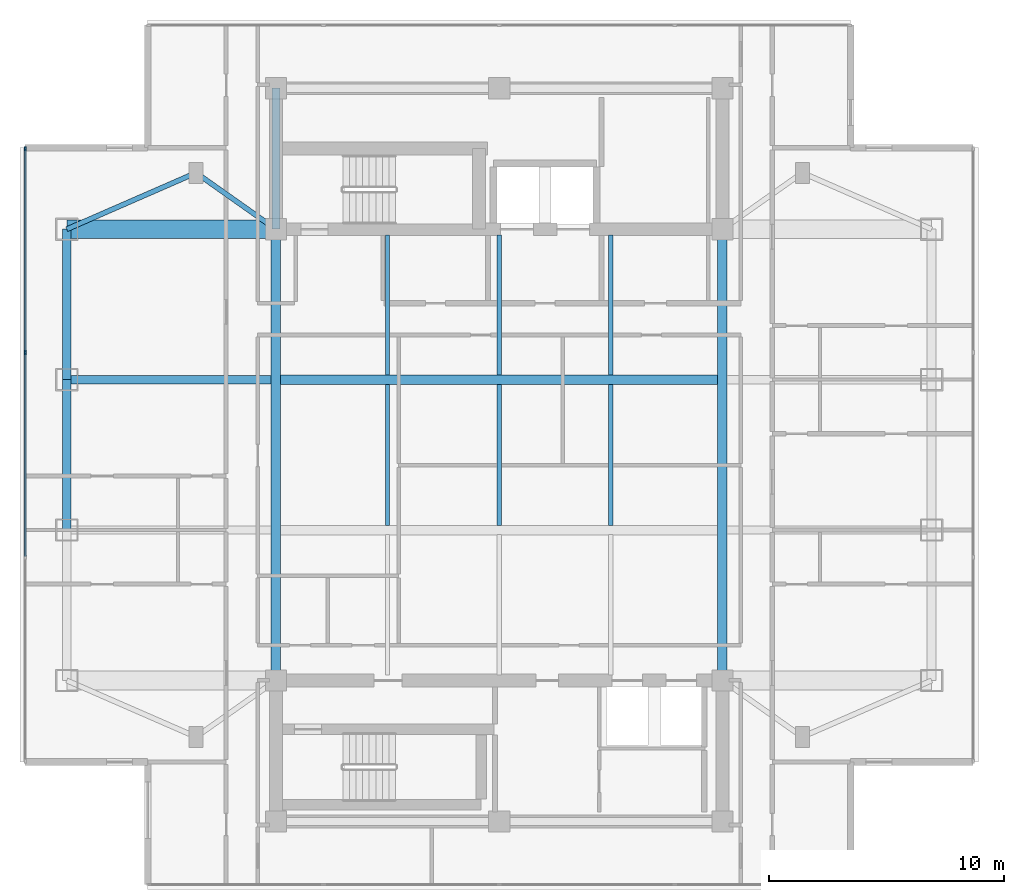
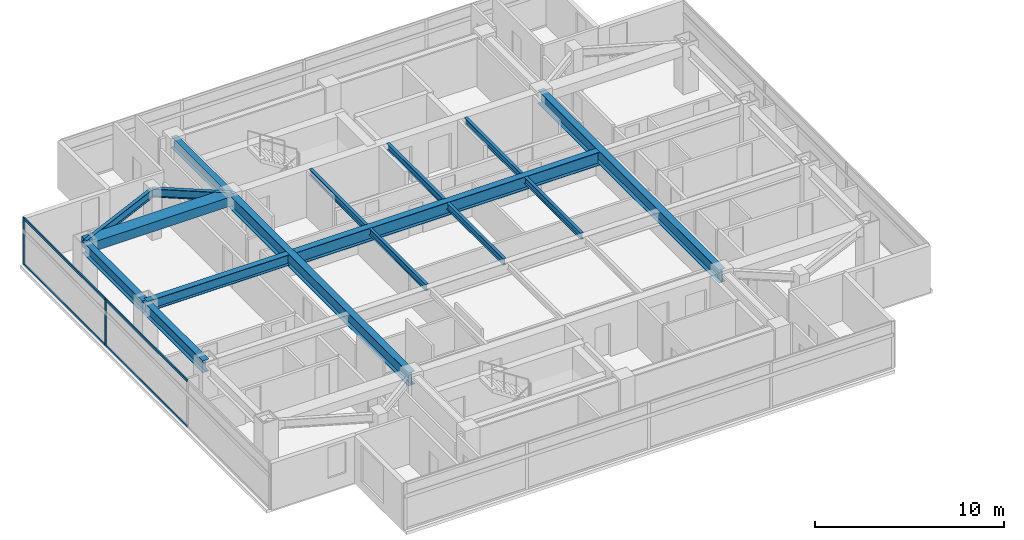
# One storey, part 3 of 24: 16 beams, 6 members, 1 element without a shape of its own.
"""IFC4 building model written with IfcOpenShell, lengths in metres."""

from ifc_helpers import new_model, si_unit, direction, frame, origin, origin_2d, place, context, subcontext, project, spatial, rectangle, i_section, extrude, material, material_profile, profile_set, type_object, element, aggregate, save


model = new_model("IFC4")

# Units and contexts
model_context = context("Model", 3, precision=1e-05, world=origin(), true_north=direction((0.0, 1.0)))
body_context = subcontext(model_context, "Body", "Model", "MODEL_VIEW")
ifc_project = project(units=[si_unit("LENGTHUNIT", "METRE"), si_unit("AREAUNIT", "SQUARE_METRE"), si_unit("VOLUMEUNIT", "CUBIC_METRE"), si_unit("PLANEANGLEUNIT", "RADIAN"), si_unit("MASSUNIT", "GRAM", prefix="KILO")], contexts=[model_context])

# Site, building, storey
site_placement = place(None, origin())
site = spatial("IfcSite", under=ifc_project, at=site_placement, CompositionType="ELEMENT")
building_placement = place(site_placement, origin())
building = spatial("IfcBuilding", under=site, at=building_placement, Name="Mirazonda Arch Towers", CompositionType="ELEMENT")
storey_placement = place(building_placement, frame((0.0, 0.0, 193.39990234375)))
storey = spatial("IfcBuildingStorey", under=building, at=storey_placement, Name="L55", CompositionType="ELEMENT", Elevation=193.39990234375)

# Beams
ifc_material_1 = material(Name="Steel ASTM A992 Grade 50", Category="steel")
ifc_material_profile_1 = material_profile(ifc_material_1, i_section(OverallWidth=0.381103515625, OverallDepth=0.77294921875, WebThickness=0.0166015625, FlangeThickness=0.027099609375, at=origin_2d()), Name="W30X173")
ifc_profile_set_1 = profile_set([ifc_material_profile_1], Name="Steel ASTM A992 Grade 50")
beam_type_1 = type_object("IfcBeamType", Name="BM-EXT-W30X173", PredefinedType="USERDEFINED", material=ifc_profile_set_1)
beam_1_placement = place(storey_placement, frame((2.10009765625, 24.800048828125, 2.66357421875), z_axis=(0.0, 1.0, 0.0), x_axis=(-1.0, 0.0, 0.0)))
element("IfcBeam", 1, at=beam_1_placement, inside=storey, type_object=beam_type_1, Name="L55 Floor Beam BM-T1-L55-NS-W-24", ObjectType="GIRDER", PredefinedType="USERDEFINED", context=body_context, shape_type="SweptSolid", body=[
    extrude(i_section(OverallWidth=0.381103515625, OverallDepth=0.77294921875, WebThickness=0.0166015625, FlangeThickness=0.027099609375, at=origin_2d()), origin(), (0.0, 0.0, 1.0), 6.39990234375),
])
beam_2_placement = place(storey_placement, frame((2.10009765625, 31.199951171875, 2.66357421875), z_axis=(0.0, 1.0, 0.0), x_axis=(-1.0, 0.0, 0.0)))
element("IfcBeam", 2, at=beam_2_placement, inside=storey, type_object=beam_type_1, Name="L55 Floor Beam BM-T1-L55-NS-W-31", ObjectType="GIRDER", PredefinedType="USERDEFINED", context=body_context, shape_type="SweptSolid", body=[
    extrude(i_section(OverallWidth=0.381103515625, OverallDepth=0.77294921875, WebThickness=0.0166015625, FlangeThickness=0.027099609375, at=origin_2d()), origin(), (0.0, 0.0, 1.0), 6.400146484375),
])
ifc_material_profile_2 = material_profile(ifc_material_1, i_section(OverallWidth=0.180908203125, OverallDepth=0.4169921875, WebThickness=0.010986328125, FlangeThickness=0.018310546875, at=origin_2d()), Name="W16X57")
ifc_profile_set_2 = profile_set([ifc_material_profile_2], Name="Steel ASTM A992 Grade 50")
beam_type_2 = type_object("IfcBeamType", Name="BM-INT-W16X57", PredefinedType="JOIST", material=ifc_profile_set_2)
beam_3_placement = place(storey_placement, frame((15.75, 31.39599609375, 2.841552734375), z_axis=(0.0, 1.0, 0.0), x_axis=(-1.0, 0.0, 0.0)))
element("IfcBeam", 3, at=beam_3_placement, inside=storey, type_object=beam_type_2, Name="L55 Floor Beam BM-T1-L55-J-157-31", PredefinedType="JOIST", context=body_context, shape_type="SweptSolid", body=[
    extrude(i_section(OverallWidth=0.180908203125, OverallDepth=0.4169921875, WebThickness=0.010986328125, FlangeThickness=0.018310546875, at=origin_2d()), origin(), (0.0, 0.0, 1.0), 5.964111328125),
])
beam_4_placement = place(storey_placement, frame((15.75, 24.99609375, 2.841552734375), z_axis=(0.0, 1.0, 0.0), x_axis=(-1.0, 0.0, 0.0)))
element("IfcBeam", 4, at=beam_4_placement, inside=storey, type_object=beam_type_2, Name="L55 Floor Beam BM-T1-L55-J-157-24", PredefinedType="JOIST", context=body_context, shape_type="SweptSolid", body=[
    extrude(i_section(OverallWidth=0.180908203125, OverallDepth=0.4169921875, WebThickness=0.010986328125, FlangeThickness=0.018310546875, at=origin_2d()), origin(), (0.0, 0.0, 1.0), 6.0078125),
])
beam_5_placement = place(storey_placement, frame((20.5, 31.39599609375, 2.841552734375), z_axis=(0.0, 1.0, 0.0), x_axis=(-1.0, 0.0, 0.0)))
element("IfcBeam", 5, at=beam_5_placement, inside=storey, type_object=beam_type_2, Name="L55 Floor Beam BM-T1-L55-J-205-31", PredefinedType="JOIST", context=body_context, shape_type="SweptSolid", body=[
    extrude(i_section(OverallWidth=0.180908203125, OverallDepth=0.4169921875, WebThickness=0.010986328125, FlangeThickness=0.018310546875, at=origin_2d()), origin(), (0.0, 0.0, 1.0), 5.964111328125),
])
beam_6_placement = place(storey_placement, frame((20.5, 24.99609375, 2.841552734375), z_axis=(0.0, 1.0, 0.0), x_axis=(-1.0, 0.0, 0.0)))
element("IfcBeam", 6, at=beam_6_placement, inside=storey, type_object=beam_type_2, Name="L55 Floor Beam BM-T1-L55-J-205-24", PredefinedType="JOIST", context=body_context, shape_type="SweptSolid", body=[
    extrude(i_section(OverallWidth=0.180908203125, OverallDepth=0.4169921875, WebThickness=0.010986328125, FlangeThickness=0.018310546875, at=origin_2d()), origin(), (0.0, 0.0, 1.0), 6.0078125),
])
beam_7_placement = place(storey_placement, frame((25.25, 31.39599609375, 2.841552734375), z_axis=(0.0, 1.0, 0.0), x_axis=(-1.0, 0.0, 0.0)))
element("IfcBeam", 7, at=beam_7_placement, inside=storey, type_object=beam_type_2, Name="L55 Floor Beam BM-T1-L55-J-252-31", PredefinedType="JOIST", context=body_context, shape_type="SweptSolid", body=[
    extrude(i_section(OverallWidth=0.180908203125, OverallDepth=0.4169921875, WebThickness=0.010986328125, FlangeThickness=0.018310546875, at=origin_2d()), origin(), (0.0, 0.0, 1.0), 5.964111328125),
])
beam_8_placement = place(storey_placement, frame((25.25, 24.99609375, 2.841552734375), z_axis=(0.0, 1.0, 0.0), x_axis=(-1.0, 0.0, 0.0)))
element("IfcBeam", 8, at=beam_8_placement, inside=storey, type_object=beam_type_2, Name="L55 Floor Beam BM-T1-L55-J-252-24", PredefinedType="JOIST", context=body_context, shape_type="SweptSolid", body=[
    extrude(i_section(OverallWidth=0.180908203125, OverallDepth=0.4169921875, WebThickness=0.010986328125, FlangeThickness=0.018310546875, at=origin_2d()), origin(), (0.0, 0.0, 1.0), 6.0078125),
])
ifc_material_profile_3 = material_profile(ifc_material_1, i_section(OverallWidth=0.214111328125, OverallDepth=0.549072265625, WebThickness=0.0146484375, FlangeThickness=0.023681640625, at=origin_2d()), Name="W21X93")
ifc_profile_set_3 = profile_set([ifc_material_profile_3], Name="Steel ASTM A992 Grade 50")
beam_type_3 = type_object("IfcBeamType", Name="BM-INT-W21X93", PredefinedType="BEAM", material=ifc_profile_set_3)
beam_9_placement = place(storey_placement, frame((7.60009765625, 40.0, 2.775634765625), z_axis=(0.816971114901, -0.576678591087, 0.0), x_axis=(0.576678591087, 0.816971114901, 0.0)))
element("IfcBeam", 9, at=beam_9_placement, inside=storey, type_object=beam_type_3, Name="L55 Floor Beam BM-T1-L55-PL-NW1", PredefinedType="BEAM", context=body_context, shape_type="SweptSolid", body=[
    extrude(i_section(OverallWidth=0.214111328125, OverallDepth=0.549072265625, WebThickness=0.0146484375, FlangeThickness=0.023681640625, at=origin_2d()), origin(), (0.0, 0.0, 1.0), 4.16162109375),
])
beam_10_placement = place(storey_placement, frame((7.60009765625, 40.0, 2.775634765625), z_axis=(-0.916545343703, -0.399930785183, 0.0), x_axis=(0.399930785183, -0.916545343703, 0.0)))
element("IfcBeam", 10, at=beam_10_placement, inside=storey, type_object=beam_type_3, Name="L55 Floor Beam BM-T1-L55-PL-NW2", PredefinedType="BEAM", context=body_context, shape_type="SweptSolid", body=[
    extrude(i_section(OverallWidth=0.214111328125, OverallDepth=0.549072265625, WebThickness=0.0146484375, FlangeThickness=0.023681640625, at=origin_2d()), origin(), (0.0, 0.0, 1.0), 6.000732421875),
])
ifc_material_profile_4 = material_profile(ifc_material_1, i_section(OverallWidth=0.35498046875, OverallDepth=0.696044921875, WebThickness=0.015380859375, FlangeThickness=0.02490234375, at=origin_2d()), Name="W27X146")
ifc_profile_set_4 = profile_set([ifc_material_profile_4], Name="Steel ASTM A992 Grade 50")
beam_type_4 = type_object("IfcBeamType", Name="BM-INT-W27X146", PredefinedType="BEAM", material=ifc_profile_set_4)
beam_11_placement = place(storey_placement, frame((2.10009765625, 31.199951171875, 2.7021484375), z_axis=(1.0, 0.0, 0.0), x_axis=(0.0, 1.0, 0.0)))
element("IfcBeam", 11, at=beam_11_placement, inside=storey, type_object=beam_type_4, Name="L55 Floor Beam BM-T1-L55-GW3", PredefinedType="BEAM", context=body_context, shape_type="SweptSolid", body=[
    extrude(i_section(OverallWidth=0.35498046875, OverallDepth=0.696044921875, WebThickness=0.015380859375, FlangeThickness=0.02490234375, at=origin_2d()), origin(), (0.0, 0.0, 1.0), 8.699951171875),
])
beam_12_placement = place(storey_placement, frame((11.0, 37.60009765625, 2.7021484375), z_axis=(0.0, 1.0, 0.0), x_axis=(-1.0, 0.0, 0.0)))
element("IfcBeam", 12, at=beam_12_placement, inside=storey, type_object=beam_type_4, Name="L55 Floor Beam BM-T1-L55-CNW", PredefinedType="BEAM", context=body_context, shape_type="SweptSolid", body=[
    extrude(i_section(OverallWidth=0.35498046875, OverallDepth=0.696044921875, WebThickness=0.015380859375, FlangeThickness=0.02490234375, at=origin_2d()), origin(), (0.0, 0.0, 1.0), 6.0),
])
ifc_material_profile_5 = material_profile(ifc_material_1, i_section(OverallWidth=0.39990234375, OverallDepth=0.85595703125, WebThickness=0.018310546875, FlangeThickness=0.029296875, at=origin_2d()), Name="W33X201")
ifc_profile_set_5 = profile_set([ifc_material_profile_5], Name="Steel ASTM A992 Grade 50")
beam_type_5 = type_object("IfcBeamType", Name="BM-INT-W33X201", PredefinedType="USERDEFINED", material=ifc_profile_set_5)
beam_13_placement = place(storey_placement, frame((11.199951171875, 31.199951171875, 2.6220703125), z_axis=(1.0, 0.0, 0.0), x_axis=(0.0, 1.0, 0.0)))
element("IfcBeam", 13, at=beam_13_placement, inside=storey, type_object=beam_type_5, Name="L55 Floor Beam BM-T1-L55-GC3", ObjectType="GIRDER", PredefinedType="USERDEFINED", context=body_context, shape_type="SweptSolid", body=[
    extrude(i_section(OverallWidth=0.39990234375, OverallDepth=0.85595703125, WebThickness=0.018310546875, FlangeThickness=0.029296875, at=origin_2d()), origin(), (0.0, 0.0, 1.0), 18.60009765625),
])
for number, where, z_axis, x_axis, name in (
    (14, (11.0, 18.39990234375, 2.6220703125), (0.0, 1.0, 0.0), (-1.0, 0.0, 0.0), "L55 Floor Beam BM-T1-L55-NS-CW-FULL"),
    (15, (30.0, 18.39990234375, 2.6220703125), (0.0, 1.0, 0.0), (-1.0, 0.0, 0.0), "L55 Floor Beam BM-T1-L55-NS-CE-FULL"),
):
    element("IfcBeam", number, at=place(storey_placement, frame(where, z_axis=z_axis, x_axis=x_axis)), inside=storey, type_object=beam_type_5, Name=name, ObjectType="GIRDER", PredefinedType="USERDEFINED", context=body_context, shape_type="SweptSolid", body=[
        extrude(i_section(OverallWidth=0.39990234375, OverallDepth=0.85595703125, WebThickness=0.018310546875, FlangeThickness=0.029296875, at=origin_2d()), origin(), (0.0, 0.0, 1.0), 19.2001953125),
    ])
ifc_material_2 = material(Name="Concrete C60/75", Category="concrete")
ifc_material_profile_6 = material_profile(ifc_material_2, rectangle(XDim=0.800048828125, YDim=0.60009765625, at=origin_2d()), Name="RCCB800x600")
ifc_profile_set_6 = profile_set([ifc_material_profile_6], Name="Concrete C60/75")
beam_type_6 = type_object("IfcBeamType", Name="CB-INT-RCCB800x600", PredefinedType="SPANDREL", material=ifc_profile_set_6)
beam_14_placement = place(storey_placement, frame((2.10009765625, 37.60009765625, 2.75), z_axis=(1.0, 0.0, 0.0), x_axis=(0.0, 1.0, 0.0)))
element("IfcBeam", 16, at=beam_14_placement, inside=storey, type_object=beam_type_6, Name="L55 Floor Beam CBC-T1-L55-NW", PredefinedType="SPANDREL", context=body_context, shape_type="SweptSolid", body=[
    extrude(rectangle(XDim=0.800048828125, YDim=0.60009765625, at=origin_2d()), origin(), (0.0, 0.0, 1.0), 8.89990234375),
])

# Curtain wall, members
ifc_material_3 = material(Name="Anodised Aluminium and Low-E Glass", Category="aluminium")
curtain_wall_type = type_object("IfcCurtainWallType", Name="CW-RES-UNIT", PredefinedType="NOTDEFINED", material=ifc_material_3)
curtain_wall_placement = place(storey_placement, origin())
curtain_wall = element("IfcCurtainWall", 17, at=curtain_wall_placement, inside=storey, type_object=curtain_wall_type, Name="L55 T1 W Facade CW-L55-T1-W", PredefinedType="NOTDEFINED")
ifc_material_4 = material(Name="Anodised Aluminium Alloy", Category="aluminium")
ifc_material_profile_7 = material_profile(ifc_material_4, rectangle(XDim=0.074951171875, YDim=0.175048828125, at=origin_2d()), Name="ALU-MULL-75x175")
ifc_profile_set_7 = profile_set([ifc_material_profile_7], Name="Anodised Aluminium Alloy")
member_type_1 = type_object("IfcMemberType", Name="MULL-CW-RES-UNIT", PredefinedType="MULLION", material=ifc_profile_set_7)
member_1_placement = place(storey_placement, frame((0.330078125, 41.031494140625, 0.0), z_axis=(0.0, 0.0, 1.0), x_axis=(1.0, 0.0, 0.0)))
member_1 = element("IfcMember", 18, at=member_1_placement, type_object=member_type_1, Name="CW-104 mullion 1", PredefinedType="MULLION", context=body_context, shape_type="SweptSolid", body=[
    extrude(rectangle(XDim=0.074951171875, YDim=0.175048828125, at=origin_2d()), origin(), (0.0, 0.0, 1.0), 3.030029296875),
])
member_2_placement = place(storey_placement, frame((0.330078125, 32.3564453125, 0.0), z_axis=(0.0, 0.0, 1.0), x_axis=(1.0, 0.0, 0.0)))
member_2 = element("IfcMember", 19, at=member_2_placement, type_object=member_type_1, Name="CW-104 mullion 2", PredefinedType="MULLION", context=body_context, shape_type="SweptSolid", body=[
    extrude(rectangle(XDim=0.074951171875, YDim=0.175048828125, at=origin_2d()), origin(), (0.0, 0.0, 1.0), 3.030029296875),
])
ifc_material_profile_8 = material_profile(ifc_material_4, rectangle(XDim=0.074951171875, YDim=0.155029296875, at=origin_2d()), Name="ALU-TRAN-75x155")
ifc_profile_set_8 = profile_set([ifc_material_profile_8], Name="Anodised Aluminium Alloy")
member_type_2 = type_object("IfcMemberType", Name="TRAN-CW-RES-UNIT", PredefinedType="USERDEFINED", material=ifc_profile_set_8)
member_3_placement = place(storey_placement, frame((0.330078125, 40.993896484375, 0.03759765625), z_axis=(0.0, -1.0, 0.0), x_axis=(1.0, 0.0, 0.0)))
member_3 = element("IfcMember", 20, at=member_3_placement, type_object=member_type_2, Name="CW-104 transom 1.1", ObjectType="TRANSOM", PredefinedType="USERDEFINED", context=body_context, shape_type="SweptSolid", body=[
    extrude(rectangle(XDim=0.074951171875, YDim=0.155029296875, at=origin_2d()), origin(), (0.0, 0.0, 1.0), 8.60009765625),
])
member_4_placement = place(storey_placement, frame((0.330078125, 40.993896484375, 2.99267578125), z_axis=(0.0, -1.0, 0.0), x_axis=(1.0, 0.0, 0.0)))
member_4 = element("IfcMember", 21, at=member_4_placement, type_object=member_type_2, Name="CW-104 transom 1.2", ObjectType="TRANSOM", PredefinedType="USERDEFINED", context=body_context, shape_type="SweptSolid", body=[
    extrude(rectangle(XDim=0.074951171875, YDim=0.155029296875, at=origin_2d()), origin(), (0.0, 0.0, 1.0), 8.60009765625),
])
member_5_placement = place(storey_placement, frame((0.330078125, 32.31884765625, 0.03759765625), z_axis=(0.0, -1.0, 0.0), x_axis=(1.0, 0.0, 0.0)))
member_5 = element("IfcMember", 22, at=member_5_placement, type_object=member_type_2, Name="CW-104 transom 2.1", ObjectType="TRANSOM", PredefinedType="USERDEFINED", context=body_context, shape_type="SweptSolid", body=[
    extrude(rectangle(XDim=0.074951171875, YDim=0.155029296875, at=origin_2d()), origin(), (0.0, 0.0, 1.0), 8.6376953125),
])
member_6_placement = place(storey_placement, frame((0.330078125, 32.31884765625, 2.99267578125), z_axis=(0.0, -1.0, 0.0), x_axis=(1.0, 0.0, 0.0)))
member_6 = element("IfcMember", 23, at=member_6_placement, type_object=member_type_2, Name="CW-104 transom 2.2", ObjectType="TRANSOM", PredefinedType="USERDEFINED", context=body_context, shape_type="SweptSolid", body=[
    extrude(rectangle(XDim=0.074951171875, YDim=0.155029296875, at=origin_2d()), origin(), (0.0, 0.0, 1.0), 8.6376953125),
])
aggregate(curtain_wall, [member_1, member_2, member_3, member_4, member_5, member_6])

save(model, "model.ifc")
